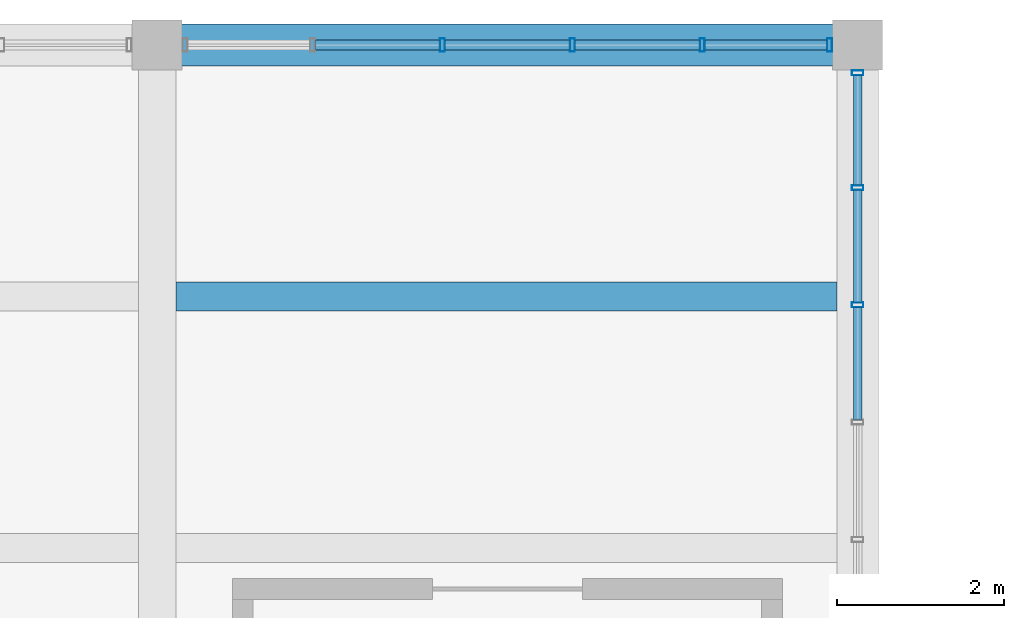
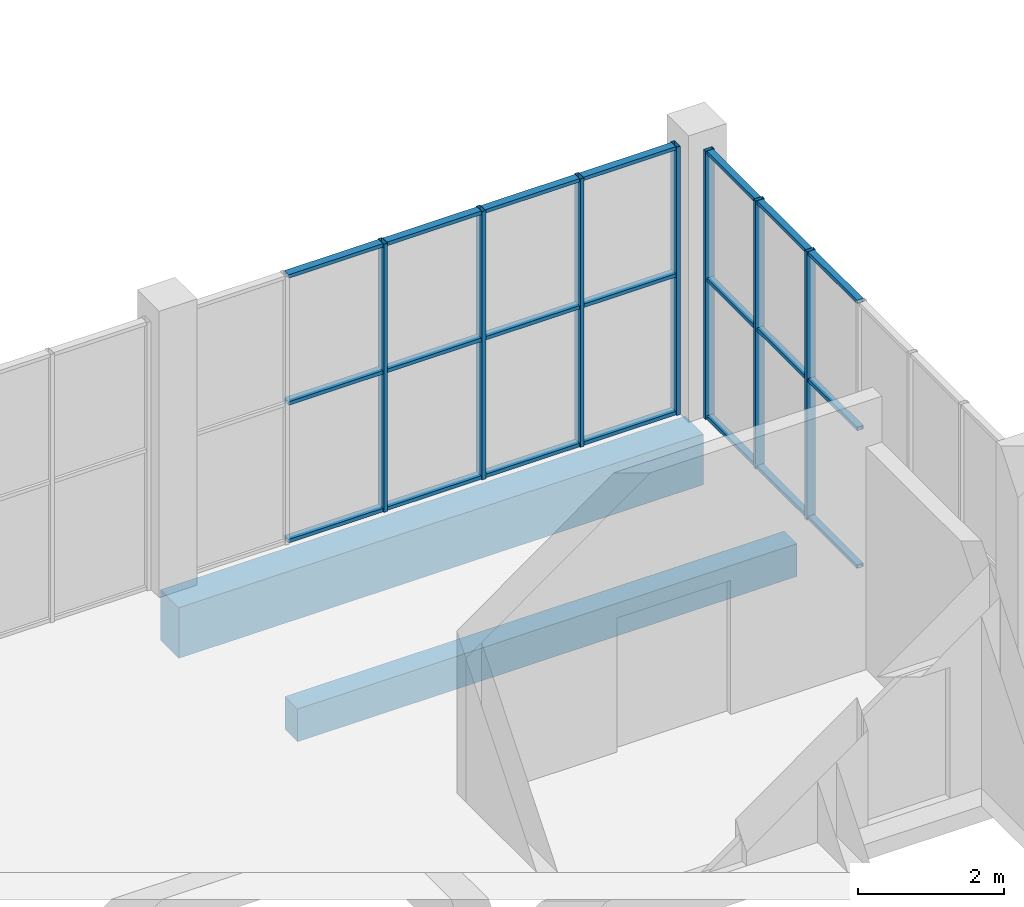
# One storey, part 40 of 80: 28 members, 2 beams, 2 elements without a shape of their own.
"""IFC4 building model written with IfcOpenShell, lengths in metres."""

from ifc_helpers import new_model, si_unit, direction, frame, origin, origin_2d, place, context, subcontext, project, spatial, rectangle, hollow_rectangle, extrude, material, material_profile, profile_set, type_object, element, aggregate, save


model = new_model("IFC4")

# Units and contexts
model_context = context("Model", 3, precision=1e-05, world=origin(), true_north=direction((0.0, 1.0)))
body_context = subcontext(model_context, "Body", "Model", "MODEL_VIEW")
ifc_project = project(units=[si_unit("LENGTHUNIT", "METRE"), si_unit("AREAUNIT", "SQUARE_METRE"), si_unit("VOLUMEUNIT", "CUBIC_METRE"), si_unit("PLANEANGLEUNIT", "RADIAN"), si_unit("MASSUNIT", "GRAM", prefix="KILO")], contexts=[model_context])

# Site, building, storey
site_placement = place(None, origin())
site = spatial("IfcSite", under=ifc_project, at=site_placement, CompositionType="ELEMENT")
building_placement = place(site_placement, origin())
building = spatial("IfcBuilding", under=site, at=building_placement, Name="Khurvash Pelagic Aquarium", CompositionType="ELEMENT")
storey_placement = place(building_placement, frame((0.0, 0.0, 10.800048828125)))
storey = spatial("IfcBuildingStorey", under=building, at=storey_placement, Name="L02", CompositionType="ELEMENT", Elevation=10.800048828125)

# Curtain wall, members
ifc_material_1 = material(Name="Anodised aluminium and low-E laminated glass", Category="aluminium")
curtain_wall_type_1 = type_object("IfcCurtainWallType", Name="CW-06", PredefinedType="USERDEFINED", material=ifc_material_1)
curtain_wall_1_placement = place(storey_placement, origin())
curtain_wall_1 = element("IfcCurtainWall", 1, at=curtain_wall_1_placement, inside=storey, type_object=curtain_wall_type_1, Name="L02 Facade Unitised Curtain Wall CW-06 0164", ObjectType="UNITISED CURTAIN WALL", PredefinedType="USERDEFINED")
ifc_material_2 = material(Name="Extruded aluminium AW-6063-T6", Category="aluminium")
ifc_material_profile_1 = material_profile(ifc_material_2, hollow_rectangle(XDim=0.06005859375, YDim=0.159912109375, WallThickness=0.00390625, at=origin_2d()), Name="CWM60X160X4")
ifc_profile_set_1 = profile_set([ifc_material_profile_1], Name="Extruded aluminium AW-6063-T6")
member_type_1 = type_object("IfcMemberType", Name="CM-02", PredefinedType="MULLION", material=ifc_profile_set_1)
member_1_placement = place(storey_placement, frame((117.264892578125, 102.14990234375, 0.0), z_axis=(0.0, 0.0, 1.0), x_axis=(-1.0, 0.0, 0.0)))
member_1 = element("IfcMember", 2, at=member_1_placement, type_object=member_type_1, Name="CW-06 mullion 1", PredefinedType="MULLION", context=body_context, shape_type="SweptSolid", body=[
    extrude(hollow_rectangle(XDim=0.06005859375, YDim=0.159912109375, WallThickness=0.00390625, at=origin_2d()), origin(), (0.0, 0.0, 1.0), 4.5),
])
member_2_placement = place(storey_placement, frame((115.737060546875, 102.14990234375, 0.0), z_axis=(0.0, 0.0, 1.0), x_axis=(-1.0, 0.0, 0.0)))
member_2 = element("IfcMember", 3, at=member_2_placement, type_object=member_type_1, Name="CW-06 mullion 2", PredefinedType="MULLION", context=body_context, shape_type="SweptSolid", body=[
    extrude(hollow_rectangle(XDim=0.06005859375, YDim=0.159912109375, WallThickness=0.00390625, at=origin_2d()), origin(), (0.0, 0.0, 1.0), 4.5),
])
member_3_placement = place(storey_placement, frame((114.178955078125, 102.14990234375, 0.0), z_axis=(0.0, 0.0, 1.0), x_axis=(-1.0, 0.0, 0.0)))
member_3 = element("IfcMember", 4, at=member_3_placement, type_object=member_type_1, Name="CW-06 mullion 3", PredefinedType="MULLION", context=body_context, shape_type="SweptSolid", body=[
    extrude(hollow_rectangle(XDim=0.06005859375, YDim=0.159912109375, WallThickness=0.00390625, at=origin_2d()), origin(), (0.0, 0.0, 1.0), 4.5),
])
member_4_placement = place(storey_placement, frame((112.62109375, 102.14990234375, 0.0), z_axis=(0.0, 0.0, 1.0), x_axis=(-1.0, 0.0, 0.0)))
member_4 = element("IfcMember", 5, at=member_4_placement, type_object=member_type_1, Name="CW-06 mullion 4", PredefinedType="MULLION", context=body_context, shape_type="SweptSolid", body=[
    extrude(hollow_rectangle(XDim=0.06005859375, YDim=0.159912109375, WallThickness=0.00390625, at=origin_2d()), origin(), (0.0, 0.0, 1.0), 4.5),
])

curtain_wall_type_2 = type_object("IfcCurtainWallType", Name="CW-03", PredefinedType="USERDEFINED", material=ifc_material_1)
curtain_wall_2_placement = place(storey_placement, origin())
curtain_wall_2 = element("IfcCurtainWall", 6, at=curtain_wall_2_placement, inside=storey, type_object=curtain_wall_type_2, Name="L02 Facade Unitised Curtain Wall CW-03 0163", ObjectType="UNITISED CURTAIN WALL", PredefinedType="USERDEFINED")
ifc_material_profile_2 = material_profile(ifc_material_2, hollow_rectangle(XDim=0.06005859375, YDim=0.139892578125, WallThickness=0.00390625, at=origin_2d()), Name="CWM60X140X4")
ifc_profile_set_2 = profile_set([ifc_material_profile_2], Name="Extruded aluminium AW-6063-T6")
member_type_2 = type_object("IfcMemberType", Name="CM-03", PredefinedType="MULLION", material=ifc_profile_set_2)
member_5_placement = place(storey_placement, frame((117.60009765625, 99.03173828125, 0.0), z_axis=(0.0, 0.0, 1.0), x_axis=(0.0, 1.0, 0.0)))
member_5 = element("IfcMember", 7, at=member_5_placement, type_object=member_type_2, Name="CW-03 mullion 5", PredefinedType="MULLION", context=body_context, shape_type="SweptSolid", body=[
    extrude(hollow_rectangle(XDim=0.06005859375, YDim=0.139892578125, WallThickness=0.00390625, at=origin_2d()), origin(), (0.0, 0.0, 1.0), 4.5),
])
member_6_placement = place(storey_placement, frame((117.60009765625, 100.438232421875, 0.0), z_axis=(0.0, 0.0, 1.0), x_axis=(0.0, 1.0, 0.0)))
member_6 = element("IfcMember", 8, at=member_6_placement, type_object=member_type_2, Name="CW-03 mullion 6", PredefinedType="MULLION", context=body_context, shape_type="SweptSolid", body=[
    extrude(hollow_rectangle(XDim=0.06005859375, YDim=0.139892578125, WallThickness=0.00390625, at=origin_2d()), origin(), (0.0, 0.0, 1.0), 4.5),
])
member_7_placement = place(storey_placement, frame((117.60009765625, 101.81494140625, 0.0), z_axis=(0.0, 0.0, 1.0), x_axis=(0.0, 1.0, 0.0)))
member_7 = element("IfcMember", 9, at=member_7_placement, type_object=member_type_2, Name="CW-03 mullion 7", PredefinedType="MULLION", context=body_context, shape_type="SweptSolid", body=[
    extrude(hollow_rectangle(XDim=0.06005859375, YDim=0.139892578125, WallThickness=0.00390625, at=origin_2d()), origin(), (0.0, 0.0, 1.0), 4.5),
])

# Member
ifc_material_profile_3 = material_profile(ifc_material_2, hollow_rectangle(XDim=0.1201171875, YDim=0.06005859375, WallThickness=0.00390625, at=origin_2d()), Name="CWT120X60X4")
ifc_profile_set_3 = profile_set([ifc_material_profile_3], Name="Extruded aluminium AW-6063-T6")
member_type_3 = type_object("IfcMemberType", Name="CT-02", PredefinedType="USERDEFINED", material=ifc_profile_set_3)
member_8_placement = place(storey_placement, frame((117.235107421875, 102.14990234375, 0.030029296875), z_axis=(-1.0, 0.0, 0.0), x_axis=(0.0, -1.0, 0.0)))
member_8 = element("IfcMember", 10, at=member_8_placement, type_object=member_type_3, Name="CW-06 transom 1.1", ObjectType="TRANSOM", PredefinedType="USERDEFINED", context=body_context, shape_type="SweptSolid", body=[
    extrude(hollow_rectangle(XDim=0.1201171875, YDim=0.06005859375, WallThickness=0.00390625, at=origin_2d()), origin(), (0.0, 0.0, 1.0), 1.468017578125),
])

member_9_placement = place(storey_placement, frame((117.235107421875, 102.14990234375, 2.33984375), z_axis=(-1.0, 0.0, 0.0), x_axis=(0.0, -1.0, 0.0)))
member_9 = element("IfcMember", 11, at=member_9_placement, type_object=member_type_3, Name="CW-06 transom 1.2", ObjectType="TRANSOM", PredefinedType="USERDEFINED", context=body_context, shape_type="SweptSolid", body=[
    extrude(hollow_rectangle(XDim=0.1201171875, YDim=0.06005859375, WallThickness=0.00390625, at=origin_2d()), origin(), (0.0, 0.0, 1.0), 1.468017578125),
])

member_10_placement = place(storey_placement, frame((117.235107421875, 102.14990234375, 4.469970703125), z_axis=(-1.0, 0.0, 0.0), x_axis=(0.0, -1.0, 0.0)))
member_10 = element("IfcMember", 12, at=member_10_placement, type_object=member_type_3, Name="CW-06 transom 1.3", ObjectType="TRANSOM", PredefinedType="USERDEFINED", context=body_context, shape_type="SweptSolid", body=[
    extrude(hollow_rectangle(XDim=0.1201171875, YDim=0.06005859375, WallThickness=0.00390625, at=origin_2d()), origin(), (0.0, 0.0, 1.0), 1.468017578125),
])

member_11_placement = place(storey_placement, frame((115.70703125, 102.14990234375, 0.030029296875), z_axis=(-1.0, 0.0, 0.0), x_axis=(0.0, -1.0, 0.0)))
member_11 = element("IfcMember", 13, at=member_11_placement, type_object=member_type_3, Name="CW-06 transom 2.1", ObjectType="TRANSOM", PredefinedType="USERDEFINED", context=body_context, shape_type="SweptSolid", body=[
    extrude(hollow_rectangle(XDim=0.1201171875, YDim=0.06005859375, WallThickness=0.00390625, at=origin_2d()), origin(), (0.0, 0.0, 1.0), 1.498046875),
])

member_12_placement = place(storey_placement, frame((115.70703125, 102.14990234375, 2.33984375), z_axis=(-1.0, 0.0, 0.0), x_axis=(0.0, -1.0, 0.0)))
member_12 = element("IfcMember", 14, at=member_12_placement, type_object=member_type_3, Name="CW-06 transom 2.2", ObjectType="TRANSOM", PredefinedType="USERDEFINED", context=body_context, shape_type="SweptSolid", body=[
    extrude(hollow_rectangle(XDim=0.1201171875, YDim=0.06005859375, WallThickness=0.00390625, at=origin_2d()), origin(), (0.0, 0.0, 1.0), 1.498046875),
])

member_13_placement = place(storey_placement, frame((115.70703125, 102.14990234375, 4.469970703125), z_axis=(-1.0, 0.0, 0.0), x_axis=(0.0, -1.0, 0.0)))
member_13 = element("IfcMember", 15, at=member_13_placement, type_object=member_type_3, Name="CW-06 transom 2.3", ObjectType="TRANSOM", PredefinedType="USERDEFINED", context=body_context, shape_type="SweptSolid", body=[
    extrude(hollow_rectangle(XDim=0.1201171875, YDim=0.06005859375, WallThickness=0.00390625, at=origin_2d()), origin(), (0.0, 0.0, 1.0), 1.498046875),
])

member_14_placement = place(storey_placement, frame((114.14892578125, 102.14990234375, 0.030029296875), z_axis=(-1.0, 0.0, 0.0), x_axis=(0.0, -1.0, 0.0)))
member_14 = element("IfcMember", 16, at=member_14_placement, type_object=member_type_3, Name="CW-06 transom 3.1", ObjectType="TRANSOM", PredefinedType="USERDEFINED", context=body_context, shape_type="SweptSolid", body=[
    extrude(hollow_rectangle(XDim=0.1201171875, YDim=0.06005859375, WallThickness=0.00390625, at=origin_2d()), origin(), (0.0, 0.0, 1.0), 1.498046875),
])

member_15_placement = place(storey_placement, frame((114.14892578125, 102.14990234375, 2.33984375), z_axis=(-1.0, 0.0, 0.0), x_axis=(0.0, -1.0, 0.0)))
member_15 = element("IfcMember", 17, at=member_15_placement, type_object=member_type_3, Name="CW-06 transom 3.2", ObjectType="TRANSOM", PredefinedType="USERDEFINED", context=body_context, shape_type="SweptSolid", body=[
    extrude(hollow_rectangle(XDim=0.1201171875, YDim=0.06005859375, WallThickness=0.00390625, at=origin_2d()), origin(), (0.0, 0.0, 1.0), 1.498046875),
])

member_16_placement = place(storey_placement, frame((114.14892578125, 102.14990234375, 4.469970703125), z_axis=(-1.0, 0.0, 0.0), x_axis=(0.0, -1.0, 0.0)))
member_16 = element("IfcMember", 18, at=member_16_placement, type_object=member_type_3, Name="CW-06 transom 3.3", ObjectType="TRANSOM", PredefinedType="USERDEFINED", context=body_context, shape_type="SweptSolid", body=[
    extrude(hollow_rectangle(XDim=0.1201171875, YDim=0.06005859375, WallThickness=0.00390625, at=origin_2d()), origin(), (0.0, 0.0, 1.0), 1.498046875),
])

member_17_placement = place(storey_placement, frame((112.591064453125, 102.14990234375, 0.030029296875), z_axis=(-1.0, 0.0, 0.0), x_axis=(0.0, -1.0, 0.0)))
member_17 = element("IfcMember", 19, at=member_17_placement, type_object=member_type_3, Name="CW-06 transom 4.1", ObjectType="TRANSOM", PredefinedType="USERDEFINED", context=body_context, shape_type="SweptSolid", body=[
    extrude(hollow_rectangle(XDim=0.1201171875, YDim=0.06005859375, WallThickness=0.00390625, at=origin_2d()), origin(), (0.0, 0.0, 1.0), 1.498046875),
])

member_18_placement = place(storey_placement, frame((112.591064453125, 102.14990234375, 2.33984375), z_axis=(-1.0, 0.0, 0.0), x_axis=(0.0, -1.0, 0.0)))
member_18 = element("IfcMember", 20, at=member_18_placement, type_object=member_type_3, Name="CW-06 transom 4.2", ObjectType="TRANSOM", PredefinedType="USERDEFINED", context=body_context, shape_type="SweptSolid", body=[
    extrude(hollow_rectangle(XDim=0.1201171875, YDim=0.06005859375, WallThickness=0.00390625, at=origin_2d()), origin(), (0.0, 0.0, 1.0), 1.498046875),
])

member_19_placement = place(storey_placement, frame((112.591064453125, 102.14990234375, 4.469970703125), z_axis=(-1.0, 0.0, 0.0), x_axis=(0.0, -1.0, 0.0)))
member_19 = element("IfcMember", 21, at=member_19_placement, type_object=member_type_3, Name="CW-06 transom 4.3", ObjectType="TRANSOM", PredefinedType="USERDEFINED", context=body_context, shape_type="SweptSolid", body=[
    extrude(hollow_rectangle(XDim=0.1201171875, YDim=0.06005859375, WallThickness=0.00390625, at=origin_2d()), origin(), (0.0, 0.0, 1.0), 1.498046875),
])

aggregate(curtain_wall_1, [member_1, member_2, member_3, member_4, member_8, member_9, member_10, member_11, member_12, member_13, member_14, member_15, member_16, member_17, member_18, member_19])

ifc_material_profile_4 = material_profile(ifc_material_2, hollow_rectangle(XDim=0.10009765625, YDim=0.06005859375, WallThickness=0.00390625, at=origin_2d()), Name="CWT100X60X4")
ifc_profile_set_4 = profile_set([ifc_material_profile_4], Name="Extruded aluminium AW-6063-T6")
member_type_4 = type_object("IfcMemberType", Name="CT-03", PredefinedType="USERDEFINED", material=ifc_profile_set_4)
member_20_placement = place(storey_placement, frame((117.60009765625, 97.655029296875, 0.030029296875), z_axis=(0.0, 1.0, 0.0), x_axis=(-1.0, 0.0, 0.0)))
member_20 = element("IfcMember", 22, at=member_20_placement, type_object=member_type_4, Name="CW-03 transom 4.1", ObjectType="TRANSOM", PredefinedType="USERDEFINED", context=body_context, shape_type="SweptSolid", body=[
    extrude(hollow_rectangle(XDim=0.10009765625, YDim=0.06005859375, WallThickness=0.00390625, at=origin_2d()), origin(), (0.0, 0.0, 1.0), 1.3466796875),
])

member_21_placement = place(storey_placement, frame((117.60009765625, 97.655029296875, 2.33984375), z_axis=(0.0, 1.0, 0.0), x_axis=(-1.0, 0.0, 0.0)))
member_21 = element("IfcMember", 23, at=member_21_placement, type_object=member_type_4, Name="CW-03 transom 4.2", ObjectType="TRANSOM", PredefinedType="USERDEFINED", context=body_context, shape_type="SweptSolid", body=[
    extrude(hollow_rectangle(XDim=0.10009765625, YDim=0.06005859375, WallThickness=0.00390625, at=origin_2d()), origin(), (0.0, 0.0, 1.0), 1.3466796875),
])

member_22_placement = place(storey_placement, frame((117.60009765625, 97.655029296875, 4.469970703125), z_axis=(0.0, 1.0, 0.0), x_axis=(-1.0, 0.0, 0.0)))
member_22 = element("IfcMember", 24, at=member_22_placement, type_object=member_type_4, Name="CW-03 transom 4.3", ObjectType="TRANSOM", PredefinedType="USERDEFINED", context=body_context, shape_type="SweptSolid", body=[
    extrude(hollow_rectangle(XDim=0.10009765625, YDim=0.06005859375, WallThickness=0.00390625, at=origin_2d()), origin(), (0.0, 0.0, 1.0), 1.3466796875),
])

member_23_placement = place(storey_placement, frame((117.60009765625, 99.061767578125, 0.030029296875), z_axis=(0.0, 1.0, 0.0), x_axis=(-1.0, 0.0, 0.0)))
member_23 = element("IfcMember", 25, at=member_23_placement, type_object=member_type_4, Name="CW-03 transom 5.1", ObjectType="TRANSOM", PredefinedType="USERDEFINED", context=body_context, shape_type="SweptSolid", body=[
    extrude(hollow_rectangle(XDim=0.10009765625, YDim=0.06005859375, WallThickness=0.00390625, at=origin_2d()), origin(), (0.0, 0.0, 1.0), 1.3466796875),
])

member_24_placement = place(storey_placement, frame((117.60009765625, 99.061767578125, 2.33984375), z_axis=(0.0, 1.0, 0.0), x_axis=(-1.0, 0.0, 0.0)))
member_24 = element("IfcMember", 26, at=member_24_placement, type_object=member_type_4, Name="CW-03 transom 5.2", ObjectType="TRANSOM", PredefinedType="USERDEFINED", context=body_context, shape_type="SweptSolid", body=[
    extrude(hollow_rectangle(XDim=0.10009765625, YDim=0.06005859375, WallThickness=0.00390625, at=origin_2d()), origin(), (0.0, 0.0, 1.0), 1.3466796875),
])

member_25_placement = place(storey_placement, frame((117.60009765625, 99.061767578125, 4.469970703125), z_axis=(0.0, 1.0, 0.0), x_axis=(-1.0, 0.0, 0.0)))
member_25 = element("IfcMember", 27, at=member_25_placement, type_object=member_type_4, Name="CW-03 transom 5.3", ObjectType="TRANSOM", PredefinedType="USERDEFINED", context=body_context, shape_type="SweptSolid", body=[
    extrude(hollow_rectangle(XDim=0.10009765625, YDim=0.06005859375, WallThickness=0.00390625, at=origin_2d()), origin(), (0.0, 0.0, 1.0), 1.3466796875),
])

member_26_placement = place(storey_placement, frame((117.60009765625, 100.46826171875, 0.030029296875), z_axis=(0.0, 1.0, 0.0), x_axis=(-1.0, 0.0, 0.0)))
member_26 = element("IfcMember", 28, at=member_26_placement, type_object=member_type_4, Name="CW-03 transom 6.1", ObjectType="TRANSOM", PredefinedType="USERDEFINED", context=body_context, shape_type="SweptSolid", body=[
    extrude(hollow_rectangle(XDim=0.10009765625, YDim=0.06005859375, WallThickness=0.00390625, at=origin_2d()), origin(), (0.0, 0.0, 1.0), 1.316650390625),
])

member_27_placement = place(storey_placement, frame((117.60009765625, 100.46826171875, 2.33984375), z_axis=(0.0, 1.0, 0.0), x_axis=(-1.0, 0.0, 0.0)))
member_27 = element("IfcMember", 29, at=member_27_placement, type_object=member_type_4, Name="CW-03 transom 6.2", ObjectType="TRANSOM", PredefinedType="USERDEFINED", context=body_context, shape_type="SweptSolid", body=[
    extrude(hollow_rectangle(XDim=0.10009765625, YDim=0.06005859375, WallThickness=0.00390625, at=origin_2d()), origin(), (0.0, 0.0, 1.0), 1.316650390625),
])

member_28_placement = place(storey_placement, frame((117.60009765625, 100.46826171875, 4.469970703125), z_axis=(0.0, 1.0, 0.0), x_axis=(-1.0, 0.0, 0.0)))
member_28 = element("IfcMember", 30, at=member_28_placement, type_object=member_type_4, Name="CW-03 transom 6.3", ObjectType="TRANSOM", PredefinedType="USERDEFINED", context=body_context, shape_type="SweptSolid", body=[
    extrude(hollow_rectangle(XDim=0.10009765625, YDim=0.06005859375, WallThickness=0.00390625, at=origin_2d()), origin(), (0.0, 0.0, 1.0), 1.316650390625),
])

aggregate(curtain_wall_2, [member_5, member_6, member_7, member_20, member_21, member_22, member_23, member_24, member_25, member_26, member_27, member_28])

# Beams
ifc_material_3 = material(Name="Concrete C35/45", Category="concrete")
ifc_material_profile_5 = material_profile(ifc_material_3, rectangle(XDim=0.35009765625, YDim=0.550048828125, at=origin_2d()), Name="RC350X550")
ifc_profile_set_5 = profile_set([ifc_material_profile_5], Name="Concrete C35/45")
beam_type_1 = type_object("IfcBeamType", Name="JS-01", PredefinedType="JOIST", material=ifc_profile_set_5)
beam_1_placement = place(storey_placement, frame((109.425048828125, 99.133056640625, -0.574951171875), z_axis=(1.0, 0.0, 0.0), x_axis=(0.0, 1.0, 0.0)))
element("IfcBeam", 31, at=beam_1_placement, inside=storey, type_object=beam_type_1, Name="L02 Floor Joist JS-01 00828", PredefinedType="JOIST", context=body_context, shape_type="SweptSolid", body=[
    extrude(rectangle(XDim=0.35009765625, YDim=0.550048828125, at=origin_2d()), origin(), (0.0, 0.0, 1.0), 7.925048828125),
])
ifc_material_4 = material(Name="Concrete C40/50", Category="concrete")
ifc_material_profile_6 = material_profile(ifc_material_4, rectangle(XDim=0.5, YDim=0.85009765625, at=origin_2d()), Name="RC500X850")
ifc_profile_set_6 = profile_set([ifc_material_profile_6], Name="Concrete C40/50")
beam_type_2 = type_object("IfcBeamType", Name="SEB-03", PredefinedType="SPANDREL", material=ifc_profile_set_6)
beam_2_placement = place(storey_placement, frame((109.239990234375, 102.14990234375, -0.7451171875), z_axis=(1.0, 0.0, 0.0), x_axis=(0.0, 1.0, 0.0)))
element("IfcBeam", 32, at=beam_2_placement, inside=storey, type_object=beam_type_2, Name="L02 Primary Girder SEB-03 00648", PredefinedType="SPANDREL", context=body_context, shape_type="SweptSolid", body=[
    extrude(rectangle(XDim=0.5, YDim=0.85009765625, at=origin_2d()), origin(), (0.0, 0.0, 1.0), 8.320068359375),
])

save(model, "model.ifc")
